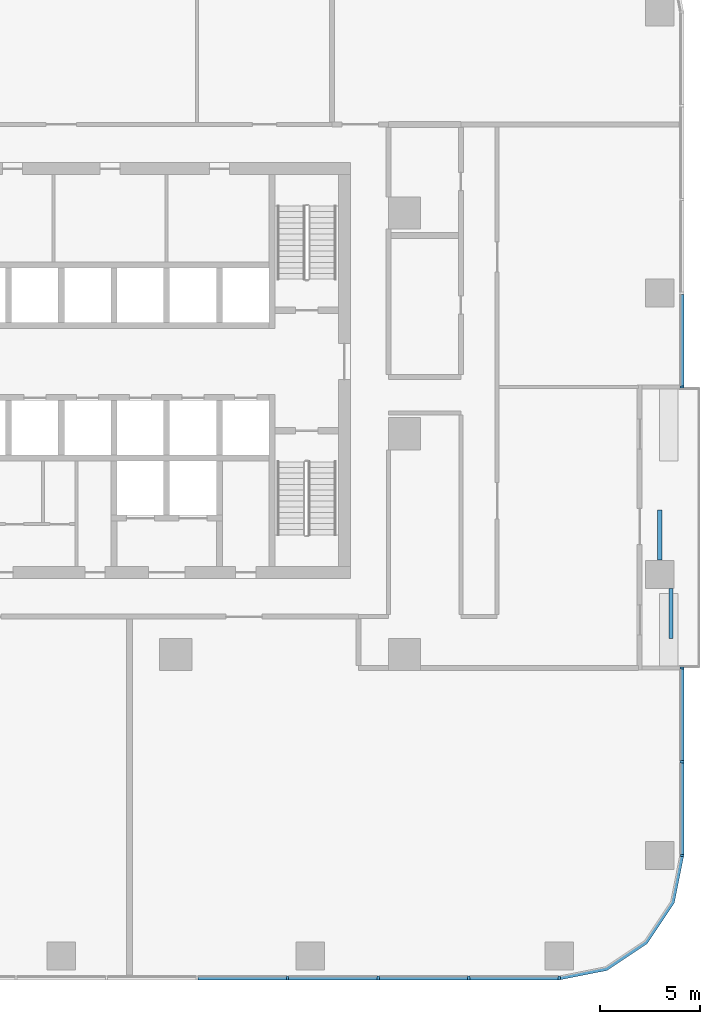
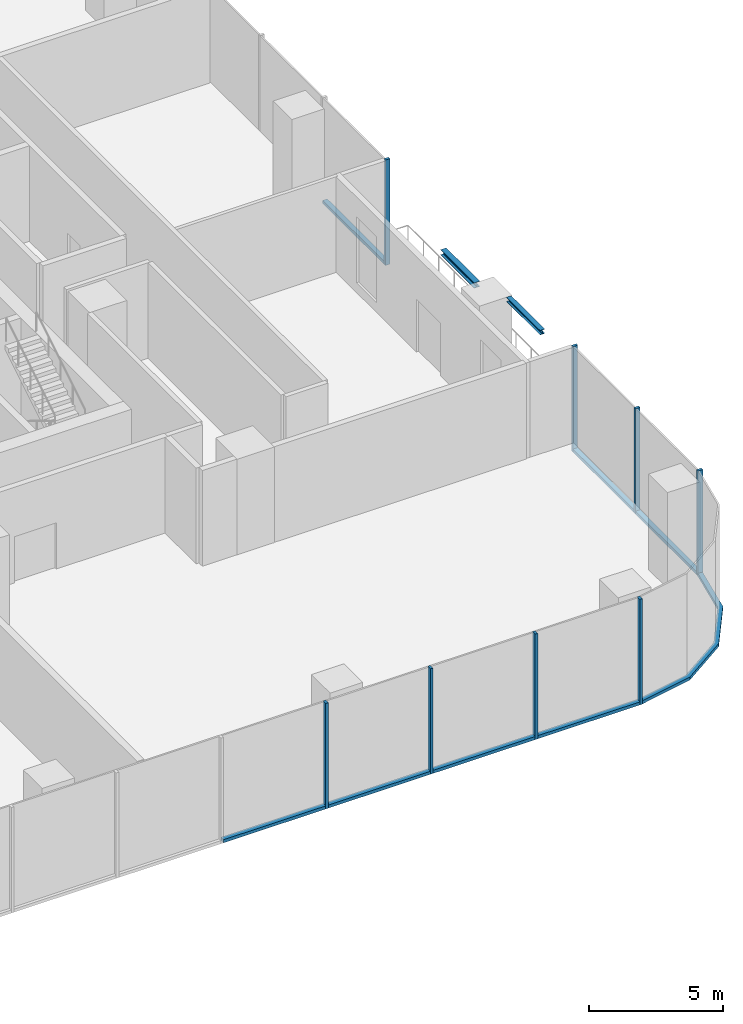
# One storey, part 3 of 14: 16 members, 2 beams, 4 elements without a shape of their own.
"""IFC4 building model written with IfcOpenShell, lengths in metres."""

import ifcopenshell
import ifcopenshell.guid

model = None  # the IFC model being written
_history = None  # IfcOwnerHistory: only IFC2X3 demands one
_inside = {}  # id of a spatial element -> (the spatial element, [elements in it])
_under = {}  # id of a project, library or spatial element -> (it, [spatial elements below it])
_declared = {}  # id of a project -> (the project, [libraries it declares])
_typed = {}  # id of a type object -> (the type object, [elements of that type])
_made_of = {}  # id of a material, layer set ... -> (it, [elements and type objects made of it])


def new_model(schema):
    """Start an empty IFC model of exactly this schema.

    Asked for "IFC4X3", IfcOpenShell would pick the latest addendum, in which some entities
    have other attributes; the version numbers below select the first issue.
    IFC2X3 requires an IfcOwnerHistory on every rooted entity: one is made here for all.
    """
    global model, _history
    if schema == "IFC4X3":
        model = ifcopenshell.file(schema_version=(4, 3, 0, 0))
    else:
        model = ifcopenshell.file(schema=schema)
    _inside.clear()
    _under.clear()
    _declared.clear()
    _typed.clear()
    _made_of.clear()
    _history = None
    if model.schema == "IFC2X3":
        org = make("IfcOrganization", Name="unknown")
        user = make(
            "IfcPersonAndOrganization",
            ThePerson=make("IfcPerson", FamilyName="unknown"),
            TheOrganization=org,
        )
        app = make(
            "IfcApplication",
            ApplicationDeveloper=org,
            Version="unknown",
            ApplicationFullName="unknown",
            ApplicationIdentifier="unknown",
        )
        _history = make(
            "IfcOwnerHistory",
            OwningUser=user,
            OwningApplication=app,
            ChangeAction="ADDED",
            CreationDate=0,
        )
    return model


def make(cls, **values):
    """One entity of the class cls with the attributes given. An attribute that is None is left unset."""
    return model.create_entity(
        cls, **{name: value for name, value in values.items() if value is not None}
    )


def rooted(cls, **values):
    """An entity with a GlobalId (a new one), such as an element, a storey or a relation."""
    return make(cls, GlobalId=ifcopenshell.guid.new(), OwnerHistory=_history, **values)


def si_unit(unit_type, name, prefix=None):
    """IfcSIUnit, for example si_unit("LENGTHUNIT", "METRE", prefix="MILLI")."""
    return make("IfcSIUnit", UnitType=unit_type, Prefix=prefix, Name=name)


def assignment(units):
    """IfcUnitAssignment: the units of a project."""
    return None if units is None else make("IfcUnitAssignment", Units=units)


def point(xyz):
    """IfcCartesianPoint."""
    return None if xyz is None else make("IfcCartesianPoint", Coordinates=xyz)


def direction(xyz):
    """IfcDirection."""
    return None if xyz is None else make("IfcDirection", DirectionRatios=xyz)


def frame(location, z_axis=None, x_axis=None):
    """IfcAxis2Placement3D, a coordinate frame: its origin and axes. An axis left out is left unset."""
    return make(
        "IfcAxis2Placement3D",
        Location=point(location),
        Axis=direction(z_axis),
        RefDirection=direction(x_axis),
    )


def frame_2d(location, x_axis=None):
    """IfcAxis2Placement2D, a coordinate frame in the plane: its origin and x axis."""
    return make(
        "IfcAxis2Placement2D", Location=point(location), RefDirection=direction(x_axis)
    )


def origin():
    """The frame at (0, 0, 0) with its axes left unset."""
    return frame((0.0, 0.0, 0.0))


def origin_2d():
    """The frame at (0, 0) in the plane with its x axis left unset."""
    return frame_2d((0.0, 0.0))


def place(relative_to, where):
    """IfcLocalPlacement: puts the frame where relative to a parent placement (None: the world)."""
    return make(
        "IfcLocalPlacement", PlacementRelTo=relative_to, RelativePlacement=where
    )


def context(
    kind, dimensions, precision=None, world=None, true_north=None, identifier=None
):
    """IfcGeometricRepresentationContext, for example the 3D "Model" context."""
    return make(
        "IfcGeometricRepresentationContext",
        ContextIdentifier=identifier,
        ContextType=kind,
        CoordinateSpaceDimension=dimensions,
        Precision=precision,
        WorldCoordinateSystem=world,
        TrueNorth=true_north,
    )


def subcontext(parent, identifier, kind, view, scale=None):
    """IfcGeometricRepresentationSubContext, for example "Body" below "Model"."""
    return make(
        "IfcGeometricRepresentationSubContext",
        ContextIdentifier=identifier,
        ContextType=kind,
        ParentContext=parent,
        TargetScale=scale,
        TargetView=view,
    )


def project(units=None, contexts=None):
    """IfcProject with its units and contexts."""
    return rooted(
        "IfcProject",
        Name="project",
        RepresentationContexts=contexts,
        UnitsInContext=assignment(units),
    )


def spatial(cls, under=None, at=None, **own):
    """A site, building, storey or space (cls), placed at a placement, below another one or the project."""
    s = rooted(cls, ObjectPlacement=at, **own)
    if under is not None:
        _under.setdefault(under.id(), (under, []))[1].append(s)
    return s


def polyline(points):
    """IfcPolyline through the points."""
    return make("IfcPolyline", Points=[point(p) for p in points])


def profile(cls, at=None, kind="AREA", **sizes):
    """A parametric profile (cls). Its sizes go by their IFC names, for example OverallWidth=200.0."""
    return make(cls, ProfileType=kind, Position=at, **sizes)


def rectangle(**sizes):
    """IfcRectangleProfileDef."""
    return profile("IfcRectangleProfileDef", **sizes)


def i_section(**sizes):
    """IfcIShapeProfileDef."""
    return profile("IfcIShapeProfileDef", **sizes)


def outline(outer, holes=None, kind="AREA"):
    """IfcArbitraryClosedProfileDef: a profile drawn as a closed curve; with holes, ...WithVoids."""
    if holes is None:
        return make("IfcArbitraryClosedProfileDef", ProfileType=kind, OuterCurve=outer)
    return make(
        "IfcArbitraryProfileDefWithVoids",
        ProfileType=kind,
        OuterCurve=outer,
        InnerCurves=holes,
    )


def extrude(swept, where, along, depth):
    """IfcExtrudedAreaSolid: the profile swept, set in the frame where, extruded along a direction by depth."""
    return make(
        "IfcExtrudedAreaSolid",
        SweptArea=swept,
        Position=where,
        ExtrudedDirection=direction(along),
        Depth=depth,
    )


def shape(context_of_items, identifier, shape_type, items):
    """IfcShapeRepresentation: the items that make up one representation, for example the "Body"."""
    return make(
        "IfcShapeRepresentation",
        ContextOfItems=context_of_items,
        RepresentationIdentifier=identifier,
        RepresentationType=shape_type,
        Items=items,
    )


def material(Name=None, Category=None):
    """IfcMaterial."""
    return make("IfcMaterial", Name=Name, Category=Category)


def material_profile(
    of_material, cross_section, Name=None, Category=None, Priority=None
):
    """IfcMaterialProfile: a cross section and its material."""
    return make(
        "IfcMaterialProfile",
        Name=Name,
        Material=of_material,
        Profile=cross_section,
        Priority=Priority,
        Category=Category,
    )


def profile_set(profiles, Name=None, composite=None):
    """IfcMaterialProfileSet."""
    return make(
        "IfcMaterialProfileSet",
        Name=Name,
        MaterialProfiles=profiles,
        CompositeProfile=composite,
    )


def made_of(thing, what):
    """Note that an element or type object is made of a material, layer set ...; save() writes the relation."""
    if what is not None:
        _made_of.setdefault(what.id(), (what, []))[1].append(thing)
    return thing


def type_object(cls, material=None, **own):
    """A type object (cls), such as IfcWallType, which elements share."""
    return made_of(rooted(cls, **own), material)


def element(
    cls,
    number,
    at=None,
    inside=None,
    cuts=None,
    type_object=None,
    material=None,
    context=None,
    identifier="Body",
    shape_type=None,
    held_by="IfcProductDefinitionShape",
    body=None,
    shapes=None,
    **own,
):
    """One element of the class cls, such as IfcWall. Its Tag is "e" and its number.

    at: its placement. inside: the storey or other place that contains it. cuts: it is an
    opening in that element (IfcRelVoidsElement). A single representation is given by context,
    identifier, shape_type and body (its items); several are given by shapes. held_by: the class
    of the entity that holds the representations. save() writes the other relations.
    """
    e = rooted(cls, Tag="e%d" % number, ObjectPlacement=at, **own)
    if body is not None:
        shapes = [shape(context, identifier, shape_type, body)]
    if shapes is not None:
        e.Representation = make(held_by, Representations=shapes)
    if inside is not None:
        _inside.setdefault(inside.id(), (inside, []))[1].append(e)
    if cuts is not None:
        rooted(
            "IfcRelVoidsElement", RelatingBuildingElement=cuts, RelatedOpeningElement=e
        )
    if type_object is not None:
        _typed.setdefault(type_object.id(), (type_object, []))[1].append(e)
    return made_of(e, material)


def aggregate(whole, parts):
    """IfcRelAggregates: a whole, such as a stair, and the parts it consists of."""
    return rooted("IfcRelAggregates", RelatingObject=whole, RelatedObjects=parts)


def save(model, path):
    """Write the relations noted so far, then the file.

    IfcRelAggregates (storeys below a building ...), IfcRelContainedInSpatialStructure (elements
    in a storey), IfcRelDefinesByType, IfcRelAssociatesMaterial and IfcRelDeclares: one each for
    every whole, place, type object, material and project.
    """
    for whole, parts in _under.values():
        aggregate(whole, parts)
    for where, things in _inside.values():
        rooted(
            "IfcRelContainedInSpatialStructure",
            RelatedElements=things,
            RelatingStructure=where,
        )
    for kind, things in _typed.values():
        rooted("IfcRelDefinesByType", RelatedObjects=things, RelatingType=kind)
    for what, things in _made_of.values():
        rooted("IfcRelAssociatesMaterial", RelatedObjects=things, RelatingMaterial=what)
    for by, libraries in _declared.values():
        rooted("IfcRelDeclares", RelatingContext=by, RelatedDefinitions=libraries)
    model.write(path)


model = new_model("IFC4")

# Units and contexts
model_context = context("Model", 3, precision=1e-05, world=origin(), true_north=direction((0.0, 1.0)))
body_context = subcontext(model_context, "Body", "Model", "MODEL_VIEW")
ifc_project = project(units=[si_unit("LENGTHUNIT", "METRE"), si_unit("AREAUNIT", "SQUARE_METRE"), si_unit("VOLUMEUNIT", "CUBIC_METRE"), si_unit("PLANEANGLEUNIT", "RADIAN"), si_unit("MASSUNIT", "GRAM", prefix="KILO")], contexts=[model_context])

# Site, building, storey
site_placement = place(None, origin())
site = spatial("IfcSite", under=ifc_project, at=site_placement, CompositionType="ELEMENT")
building_placement = place(site_placement, origin())
building = spatial("IfcBuilding", under=site, at=building_placement, Name="Mopane Tessera Tower", CompositionType="ELEMENT")
storey_placement = place(building_placement, frame((0.0, 0.0, 35.800048828125)))
storey = spatial("IfcBuildingStorey", under=building, at=storey_placement, Name="L06", CompositionType="ELEMENT", Elevation=35.800048828125)

# Curtain wall, members
ifc_material_1 = material(Name="Aluminium frame", Category="aluminium")
curtain_wall_type = type_object("IfcCurtainWallType", Name="Lower tower unitised wall", PredefinedType="NOTDEFINED", material=ifc_material_1)
curtain_wall_1_placement = place(storey_placement, origin())
curtain_wall_1 = element("IfcCurtainWall", 1, at=curtain_wall_1_placement, inside=storey, type_object=curtain_wall_type, Name="e:cw:L06:S:0", PredefinedType="NOTDEFINED")
ifc_material_2 = material(Name="Aluminium frame", Category="aluminium")
ifc_material_profile_1 = material_profile(ifc_material_2, rectangle(XDim=0.110107421875, YDim=0.199951171875, at=origin_2d()))
ifc_profile_set_1 = profile_set([ifc_material_profile_1], Name="Aluminium frame")
member_type_1 = type_object("IfcMemberType", Name="Aluminium mullion 110 x 200", PredefinedType="MULLION", material=ifc_profile_set_1)
member_1_placement = place(storey_placement, frame((11.272705078125, -27.10009765625, -0.449951171875), z_axis=(0.0, 0.0, 1.0), x_axis=(1.0, 0.0, 0.0)))
member_1 = element("IfcMember", 2, at=member_1_placement, type_object=member_type_1, Name="e:cw:L06:S:0:mu8", PredefinedType="MULLION", context=body_context, shape_type="SweptSolid", body=[
    extrude(rectangle(XDim=0.110107421875, YDim=0.199951171875, at=origin_2d()), origin(), (0.0, 0.0, 1.0), 4.7998046875),
])
member_2_placement = place(storey_placement, frame((15.78173828125, -27.10009765625, -0.449951171875), z_axis=(0.0, 0.0, 1.0), x_axis=(1.0, 0.0, 0.0)))
member_2 = element("IfcMember", 3, at=member_2_placement, type_object=member_type_1, Name="e:cw:L06:S:0:mu9", PredefinedType="MULLION", context=body_context, shape_type="SweptSolid", body=[
    extrude(rectangle(XDim=0.110107421875, YDim=0.199951171875, at=origin_2d()), origin(), (0.0, 0.0, 1.0), 4.7998046875),
])
member_3_placement = place(storey_placement, frame((20.291015625, -27.10009765625, -0.449951171875), z_axis=(0.0, 0.0, 1.0), x_axis=(1.0, 0.0, 0.0)))
member_3 = element("IfcMember", 4, at=member_3_placement, type_object=member_type_1, Name="e:cw:L06:S:0:mu10", PredefinedType="MULLION", context=body_context, shape_type="SweptSolid", body=[
    extrude(rectangle(XDim=0.110107421875, YDim=0.199951171875, at=origin_2d()), origin(), (0.0, 0.0, 1.0), 4.7998046875),
])
member_4_placement = place(storey_placement, frame((24.800048828125, -27.10009765625, -0.449951171875), z_axis=(0.0, 0.0, 1.0), x_axis=(1.0, 0.0, 0.0)))
member_4 = element("IfcMember", 5, at=member_4_placement, type_object=member_type_1, Name="e:cw:L06:S:0:mu11", PredefinedType="MULLION", context=body_context, shape_type="SweptSolid", body=[
    extrude(rectangle(XDim=0.110107421875, YDim=0.199951171875, at=origin_2d()), origin(), (0.0, 0.0, 1.0), 4.7998046875),
])

curtain_wall_2_placement = place(storey_placement, origin())
curtain_wall_2 = element("IfcCurtainWall", 6, at=curtain_wall_2_placement, inside=storey, type_object=curtain_wall_type, Name="e:cw:L06:E:0", PredefinedType="NOTDEFINED")
member_5_placement = place(storey_placement, frame((30.89990234375, -21.0, -0.449951171875), z_axis=(0.0, 0.0, 1.0), x_axis=(0.0, 1.0, 0.0)))
member_5 = element("IfcMember", 7, at=member_5_placement, type_object=member_type_1, Name="e:cw:L06:E:0:mu0", PredefinedType="MULLION", context=body_context, shape_type="SweptSolid", body=[
    extrude(rectangle(XDim=0.110107421875, YDim=0.199951171875, at=origin_2d()), origin(), (0.0, 0.0, 1.0), 4.7998046875),
])
member_6_placement = place(storey_placement, frame((30.89990234375, -16.333251953125, -0.449951171875), z_axis=(0.0, 0.0, 1.0), x_axis=(0.0, 1.0, 0.0)))
member_6 = element("IfcMember", 8, at=member_6_placement, type_object=member_type_1, Name="e:cw:L06:E:0:mu1", PredefinedType="MULLION", context=body_context, shape_type="SweptSolid", body=[
    extrude(rectangle(XDim=0.110107421875, YDim=0.199951171875, at=origin_2d()), origin(), (0.0, 0.0, 1.0), 4.7998046875),
])
member_7_placement = place(storey_placement, frame((30.89990234375, -11.666748046875, -0.449951171875), z_axis=(0.0, 0.0, 1.0), x_axis=(0.0, 1.0, 0.0)))
member_7 = element("IfcMember", 9, at=member_7_placement, type_object=member_type_1, Name="e:cw:L06:E:0:mu2", PredefinedType="MULLION", context=body_context, shape_type="SweptSolid", body=[
    extrude(rectangle(XDim=0.110107421875, YDim=0.199951171875, at=origin_2d()), origin(), (0.0, 0.0, 1.0), 4.7998046875),
])

# Curtain wall, member
curtain_wall_3_placement = place(storey_placement, origin())
curtain_wall_3 = element("IfcCurtainWall", 10, at=curtain_wall_3_placement, inside=storey, type_object=curtain_wall_type, Name="e:cw:L06:E:5", PredefinedType="NOTDEFINED")
member_8_placement = place(storey_placement, frame((30.89990234375, 2.333251953125, -0.449951171875), z_axis=(0.0, 0.0, 1.0), x_axis=(0.0, 1.0, 0.0)))
member_8 = element("IfcMember", 11, at=member_8_placement, type_object=member_type_1, Name="e:cw:L06:E:5:mu5", PredefinedType="MULLION", context=body_context, shape_type="SweptSolid", body=[
    extrude(rectangle(XDim=0.110107421875, YDim=0.199951171875, at=origin_2d()), origin(), (0.0, 0.0, 1.0), 4.7998046875),
])

# Member
ifc_material_3 = material(Name="Aluminium frame", Category="aluminium")
ifc_material_profile_2 = material_profile(ifc_material_3, rectangle(XDim=0.199951171875, YDim=0.139892578125, at=origin_2d()))
ifc_profile_set_2 = profile_set([ifc_material_profile_2], Name="Aluminium frame")
member_type_2 = type_object("IfcMemberType", Name="Aluminium transom 200 x 140", PredefinedType="USERDEFINED", material=ifc_profile_set_2)
member_9_placement = place(storey_placement, frame((6.818603515625, -27.10009765625, -0.380126953125), z_axis=(1.0, 0.0, 0.0), x_axis=(0.0, 1.0, 0.0)))
member_9 = element("IfcMember", 12, at=member_9_placement, type_object=member_type_2, Name="e:cw:L06:S:0:tr7", ObjectType="TRANSOM", PredefinedType="USERDEFINED", context=body_context, shape_type="SweptSolid", body=[
    extrude(rectangle(XDim=0.199951171875, YDim=0.139892578125, at=origin_2d()), origin(), (0.0, 0.0, 1.0), 4.399169921875),
])

member_10_placement = place(storey_placement, frame((11.32763671875, -27.10009765625, -0.380126953125), z_axis=(1.0, 0.0, 0.0), x_axis=(0.0, 1.0, 0.0)))
member_10 = element("IfcMember", 13, at=member_10_placement, type_object=member_type_2, Name="e:cw:L06:S:0:tr8", ObjectType="TRANSOM", PredefinedType="USERDEFINED", context=body_context, shape_type="SweptSolid", body=[
    extrude(rectangle(XDim=0.199951171875, YDim=0.139892578125, at=origin_2d()), origin(), (0.0, 0.0, 1.0), 4.399169921875),
])

member_11_placement = place(storey_placement, frame((15.8369140625, -27.10009765625, -0.380126953125), z_axis=(1.0, 0.0, 0.0), x_axis=(0.0, 1.0, 0.0)))
member_11 = element("IfcMember", 14, at=member_11_placement, type_object=member_type_2, Name="e:cw:L06:S:0:tr9", ObjectType="TRANSOM", PredefinedType="USERDEFINED", context=body_context, shape_type="SweptSolid", body=[
    extrude(rectangle(XDim=0.199951171875, YDim=0.139892578125, at=origin_2d()), origin(), (0.0, 0.0, 1.0), 4.39892578125),
])

member_12_placement = place(storey_placement, frame((20.345947265625, -27.10009765625, -0.380126953125), z_axis=(1.0, 0.0, 0.0), x_axis=(0.0, 1.0, 0.0)))
member_12 = element("IfcMember", 15, at=member_12_placement, type_object=member_type_2, Name="e:cw:L06:S:0:tr10", ObjectType="TRANSOM", PredefinedType="USERDEFINED", context=body_context, shape_type="SweptSolid", body=[
    extrude(rectangle(XDim=0.199951171875, YDim=0.139892578125, at=origin_2d()), origin(), (0.0, 0.0, 1.0), 4.399169921875),
])

aggregate(curtain_wall_1, [member_1, member_2, member_3, member_4, member_9, member_10, member_11, member_12])

# Curtain wall, member
curtain_wall_4_placement = place(storey_placement, origin())
curtain_wall_4 = element("IfcCurtainWall", 16, at=curtain_wall_4_placement, inside=storey, type_object=curtain_wall_type, Name="e:cw:L06:CS", PredefinedType="NOTDEFINED")
member_13_placement = place(storey_placement, frame((0.0, 0.0, -0.449951171875)))
member_13 = element("IfcMember", 17, at=member_13_placement, type_object=member_type_2, Name="e:cw:L06:CS:tr", ObjectType="TRANSOM", PredefinedType="USERDEFINED", context=body_context, shape_type="SweptSolid", body=[
    extrude(outline(polyline([(24.800048828125, -27.0), (27.09619140625, -26.543212890625), (29.042724609375, -25.24267578125), (30.34326171875, -23.296142578125), (30.800048828125, -21.0), (31.0, -21.0), (30.528076171875, -23.37255859375), (29.18408203125, -25.384033203125), (27.172607421875, -26.72802734375), (24.800048828125, -27.199951171875), (24.800048828125, -27.0)])), origin(), (0.0, 0.0, 1.0), 0.139892578125),
])
aggregate(curtain_wall_4, [member_13])

# Member
member_14_placement = place(storey_placement, frame((30.89990234375, -20.945068359375, -0.380126953125), z_axis=(0.0, 1.0, 0.0), x_axis=(-1.0, 0.0, 0.0)))
member_14 = element("IfcMember", 18, at=member_14_placement, type_object=member_type_2, Name="e:cw:L06:E:0:tr0", ObjectType="TRANSOM", PredefinedType="USERDEFINED", context=body_context, shape_type="SweptSolid", body=[
    extrude(rectangle(XDim=0.199951171875, YDim=0.139892578125, at=origin_2d()), origin(), (0.0, 0.0, 1.0), 4.556640625),
])

member_15_placement = place(storey_placement, frame((30.89990234375, -16.2783203125, -0.380126953125), z_axis=(0.0, 1.0, 0.0), x_axis=(-1.0, 0.0, 0.0)))
member_15 = element("IfcMember", 19, at=member_15_placement, type_object=member_type_2, Name="e:cw:L06:E:0:tr1", ObjectType="TRANSOM", PredefinedType="USERDEFINED", context=body_context, shape_type="SweptSolid", body=[
    extrude(rectangle(XDim=0.199951171875, YDim=0.139892578125, at=origin_2d()), origin(), (0.0, 0.0, 1.0), 4.556640625),
])

aggregate(curtain_wall_2, [member_5, member_6, member_7, member_14, member_15])

member_16_placement = place(storey_placement, frame((30.89990234375, 2.388427734375, -0.380126953125), z_axis=(0.0, 1.0, 0.0), x_axis=(-1.0, 0.0, 0.0)))
member_16 = element("IfcMember", 20, at=member_16_placement, type_object=member_type_2, Name="e:cw:L06:E:5:tr5", ObjectType="TRANSOM", PredefinedType="USERDEFINED", context=body_context, shape_type="SweptSolid", body=[
    extrude(rectangle(XDim=0.199951171875, YDim=0.139892578125, at=origin_2d()), origin(), (0.0, 0.0, 1.0), 4.556640625),
])

aggregate(curtain_wall_3, [member_8, member_16])

# Beams
ifc_material_4 = material(Name="Structural steel S460", Category="steel")
ifc_material_profile_3 = material_profile(ifc_material_4, i_section(OverallWidth=0.239990234375, OverallDepth=0.239990234375, WebThickness=0.010009765625, FlangeThickness=0.01708984375, FilletRadius=0.02099609375, at=origin_2d()))
ifc_profile_set_3 = profile_set([ifc_material_profile_3], Name="Structural steel S460")
beam_type_1 = type_object("IfcBeamType", Name="Terrace spandrel beam HE 240 B", PredefinedType="SPANDREL", material=ifc_profile_set_3)
beam_1_placement = place(storey_placement, frame((29.800048828125, -6.297119140625, 4.22998046875), z_axis=(0.0, 1.0, 0.0), x_axis=(-1.0, 0.0, 0.0)))
element("IfcBeam", 21, at=beam_1_placement, inside=storey, type_object=beam_type_1, Name="Terrace spandrel beam N1 L07", PredefinedType="SPANDREL", context=body_context, shape_type="SweptSolid", body=[
    extrude(i_section(OverallWidth=0.239990234375, OverallDepth=0.239990234375, WebThickness=0.010009765625, FlangeThickness=0.01708984375, FilletRadius=0.02099609375, at=origin_2d()), origin(), (0.0, 0.0, 1.0), 2.5),
])
ifc_material_5 = material(Name="Structural steel S460", Category="steel")
ifc_material_profile_4 = material_profile(ifc_material_5, i_section(OverallWidth=0.199951171875, OverallDepth=0.199951171875, WebThickness=0.009033203125, FlangeThickness=0.014892578125, FilletRadius=0.01806640625, at=origin_2d()))
ifc_profile_set_4 = profile_set([ifc_material_profile_4], Name="Structural steel S460")
beam_type_2 = type_object("IfcBeamType", Name="Terrace trimmer beam HE 200 B", PredefinedType="BEAM", material=ifc_profile_set_4)
beam_2_placement = place(storey_placement, frame((30.360107421875, -7.702880859375, 4.25), z_axis=(0.0, -1.0, 0.0), x_axis=(1.0, 0.0, 0.0)))
element("IfcBeam", 22, at=beam_2_placement, inside=storey, type_object=beam_type_2, Name="Terrace trimmer beam N1 L07", PredefinedType="BEAM", context=body_context, shape_type="SweptSolid", body=[
    extrude(i_section(OverallWidth=0.199951171875, OverallDepth=0.199951171875, WebThickness=0.009033203125, FlangeThickness=0.014892578125, FilletRadius=0.01806640625, at=origin_2d()), origin(), (0.0, 0.0, 1.0), 2.5),
])

save(model, "model.ifc")
